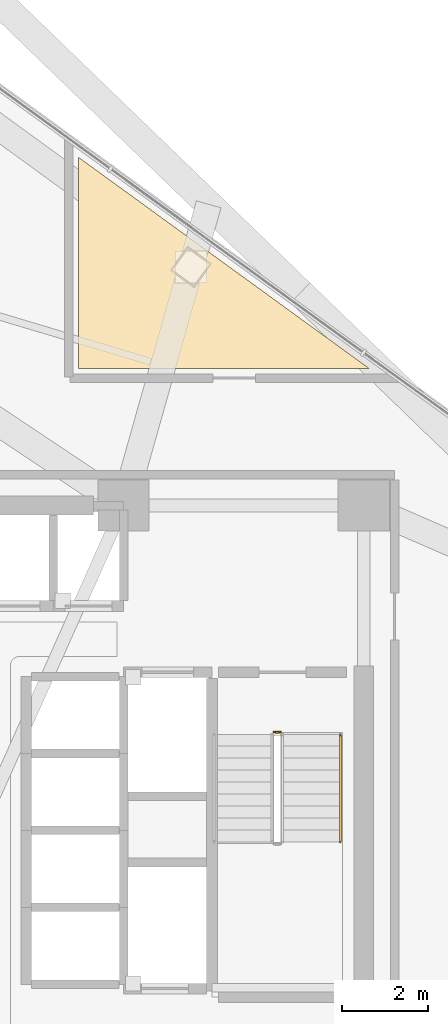
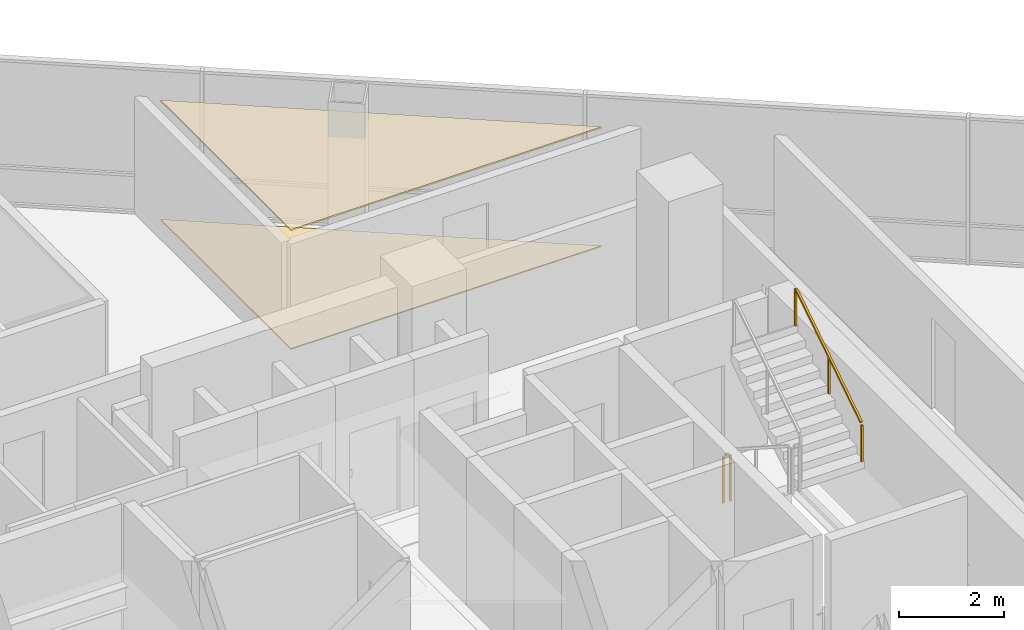
# One storey, part 16 of 17: 2 coverings, 2 railings.
"""IFC4 building model written with IfcOpenShell, lengths in metres."""

from ifc_helpers import new_model, si_unit, direction, frame, origin, origin_2d, place, context, subcontext, project, spatial, polyline, rectangle, outline, extrude, material, layer, layer_set, type_object, element, save


model = new_model("IFC4")

# Units and contexts
model_context = context("Model", 3, precision=1e-05, world=origin(), true_north=direction((0.0, 1.0)))
body_context = subcontext(model_context, "Body", "Model", "MODEL_VIEW")
ifc_project = project(units=[si_unit("LENGTHUNIT", "METRE"), si_unit("AREAUNIT", "SQUARE_METRE"), si_unit("VOLUMEUNIT", "CUBIC_METRE"), si_unit("PLANEANGLEUNIT", "RADIAN"), si_unit("MASSUNIT", "GRAM", prefix="KILO")], contexts=[model_context])

# Site, building, storey
site_placement = place(None, origin())
site = spatial("IfcSite", under=ifc_project, at=site_placement, CompositionType="ELEMENT")
building_placement = place(site_placement, origin())
building = spatial("IfcBuilding", under=site, at=building_placement, Name="Tharavind Bronze Gate", CompositionType="ELEMENT")
storey_placement = place(building_placement, frame((0.0, 0.0, 112.449951171875)))
storey = spatial("IfcBuildingStorey", under=building, at=storey_placement, Name="L28", CompositionType="ELEMENT", Elevation=112.449951171875)

# Coverings
ifc_material_1 = material(Name="Engineered Oak & Carpet Tile", Category="wood")
ifc_layer_1 = layer(ifc_material_1, 0.02490234375)
ifc_layer_set_1 = layer_set([ifc_layer_1], Name="Engineered Oak & Carpet Tile")
covering_type_1 = type_object("IfcCoveringType", Name="ENGINEERED TIMBER FLOORING", PredefinedType="FLOORING", material=ifc_layer_set_1)
covering_1_placement = place(storey_placement, origin())
element("IfcCovering", 1, at=covering_1_placement, inside=storey, type_object=covering_type_1, Name="L28-RM-01 floor finish", PredefinedType="FLOORING", context=body_context, shape_type="SweptSolid", body=[
    extrude(outline(polyline([(2.219970703125, 10.800048828125), (9.03271484375, 10.800048828125), (2.219970703125, 15.749755859375), (2.219970703125, 10.800048828125)])), origin(), (0.0, 0.0, 1.0), 0.025146484375),
])
ifc_material_2 = material(Name="Acoustic Gypsum Board", Category="gypsum")
ifc_layer_2 = layer(ifc_material_2, 0.030029296875)
ifc_layer_set_2 = layer_set([ifc_layer_2], Name="Acoustic Gypsum Board")
covering_type_2 = type_object("IfcCoveringType", Name="GYPSUM SUSPENDED CEILING", PredefinedType="CEILING", material=ifc_layer_set_2)
covering_2_placement = place(storey_placement, frame((0.0, 0.0, 2.75)))
element("IfcCovering", 2, at=covering_2_placement, inside=storey, type_object=covering_type_2, Name="L28-RM-01 suspended ceiling", PredefinedType="CEILING", context=body_context, shape_type="SweptSolid", body=[
    extrude(outline(polyline([(2.219970703125, 10.800048828125), (9.03271484375, 10.800048828125), (2.219970703125, 15.749755859375), (2.219970703125, 10.800048828125)])), origin(), (0.0, 0.0, 1.0), 0.03515625),
])

# Railings
ifc_material_3 = material(Name="Brushed Bronze Alloy", Category="metal")
railing_type_1 = type_object("IfcRailingType", Name="STAIR BRONZE HANDRAIL 900", PredefinedType="HANDRAIL", material=ifc_material_3)
railing_1_placement = place(storey_placement, frame((8.35009765625, -0.27001953125, 1.97998046875)))
element("IfcRailing", 3, at=railing_1_placement, inside=storey, type_object=railing_type_1, Name="L28 ST2 stair handrail 2", PredefinedType="HANDRAIL", context=body_context, shape_type="SweptSolid", body=[
    extrude(rectangle(XDim=0.048095703125, YDim=0.048095703125, at=origin_2d()), frame((0.0, 0.02685546875, 0.89306640625), z_axis=(0.0, 0.841162588446, 0.540782303519), x_axis=(-1.0, 0.0, 0.0)), (0.0, 0.0, 1.0), 2.931884765625),
    extrude(rectangle(XDim=0.0400390625, YDim=0.0400390625, at=origin_2d()), origin(), (0.0, 0.0, 1.0), 0.847900390625),
    extrude(rectangle(XDim=0.0400390625, YDim=0.0400390625, at=origin_2d()), frame((0.0, 1.260009765625, 0.81005859375)), (0.0, 0.0, 1.0), 0.847900390625),
    extrude(rectangle(XDim=0.0400390625, YDim=0.0400390625, at=origin_2d()), frame((0.0, 2.52001953125, 1.6201171875)), (0.0, 0.0, 1.0), 0.847900390625),
])
railing_type_2 = type_object("IfcRailingType", Name="STAIR WELL GUARD RAILING 1120", PredefinedType="GUARDRAIL", material=ifc_material_3)
railing_2_placement = place(storey_placement, frame((6.800048828125, 2.300048828125, 0.0)))
element("IfcRailing", 4, at=railing_2_placement, inside=storey, type_object=railing_type_2, Name="L28 ST2 stair guard 4", PredefinedType="GUARDRAIL", context=body_context, shape_type="SweptSolid", body=[
    extrude(rectangle(XDim=0.048095703125, YDim=0.048095703125, at=origin_2d()), frame((0.031982421875, 0.0, 1.09619140625), z_axis=(1.0, 0.0, 0.0), x_axis=(0.0, 1.0, 0.0)), (0.0, 0.0, 1.0), 0.0859375),
    extrude(rectangle(XDim=0.0400390625, YDim=0.0400390625, at=origin_2d()), origin(), (0.0, 0.0, 1.0), 1.068115234375),
    extrude(rectangle(XDim=0.0400390625, YDim=0.0400390625, at=origin_2d()), frame((0.14990234375, 0.0, 0.0)), (0.0, 0.0, 1.0), 1.068115234375),
])

save(model, "model.ifc")
